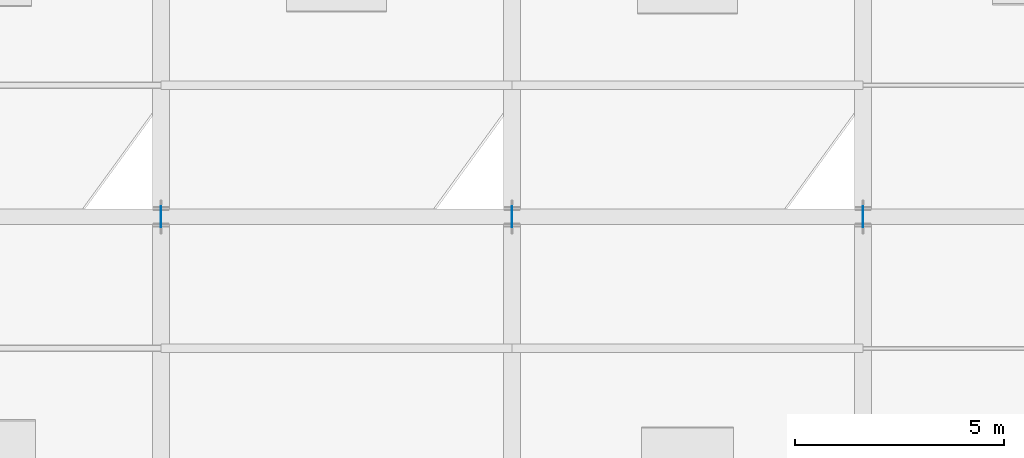
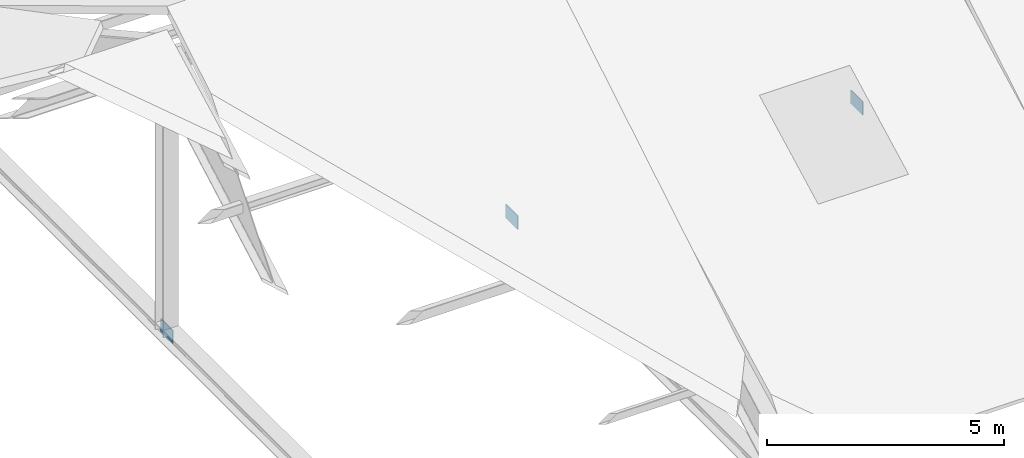
# One storey, part 10 of 13: 3 plates.
"""IFC4 building model written with IfcOpenShell, lengths in metres."""

from ifc_helpers import new_model, si_unit, direction, frame, origin, origin_2d, place, context, subcontext, project, spatial, rectangle, extrude, material, layer, layer_set, type_object, element, save


model = new_model("IFC4")

# Units and contexts
model_context = context("Model", 3, precision=1e-05, world=origin(), true_north=direction((0.0, 1.0)))
body_context = subcontext(model_context, "Body", "Model", "MODEL_VIEW")
ifc_project = project(units=[si_unit("LENGTHUNIT", "METRE"), si_unit("AREAUNIT", "SQUARE_METRE"), si_unit("VOLUMEUNIT", "CUBIC_METRE"), si_unit("PLANEANGLEUNIT", "RADIAN"), si_unit("MASSUNIT", "GRAM", prefix="KILO")], contexts=[model_context])

# Site, building, storey
site_placement = place(None, origin())
site = spatial("IfcSite", under=ifc_project, at=site_placement, CompositionType="ELEMENT")
building_placement = place(site_placement, origin())
building = spatial("IfcBuilding", under=site, at=building_placement, Name="Calvrana Isthmian Art Gallery", CompositionType="ELEMENT")
storey_placement = place(building_placement, frame((0.0, 0.0, 29.39990234375)))
storey = spatial("IfcBuildingStorey", under=building, at=storey_placement, Name="RF", CompositionType="ELEMENT", Elevation=29.39990234375)

# Plates
ifc_material = material(Name="Steel ASTM A572 Gr 50", Category="steel")
ifc_layer = layer(ifc_material, 0.02001953125, Name="Steel ASTM A572 Gr 50")
ifc_layer_set = layer_set([ifc_layer], Name="Steel ASTM A572 Gr 50")
plate_type = type_object("IfcPlateType", Name="PL-SPLICE-20", PredefinedType="SHEET", material=ifc_layer_set)
for number, where, z_axis, x_axis, name in (
    (1, (55.199951171875, 34.199951171875, -0.935546875), (0.0, 0.0, 1.0), (1.0, 0.0, 0.0), "Folded plate tie splice plate 08"),
    (2, (63.60009765625, 34.199951171875, -0.935546875), (0.0, 0.0, 1.0), (1.0, 0.0, 0.0), "Folded plate tie splice plate 09"),
    (3, (72.0, 34.199951171875, -0.935546875), (0.0, 0.0, 1.0), (1.0, 0.0, 0.0), "Folded plate tie splice plate 10"),
):
    element("IfcPlate", number, at=place(storey_placement, frame(where, z_axis=z_axis, x_axis=x_axis)), inside=storey, type_object=plate_type, Name=name, PredefinedType="SHEET", context=body_context, shape_type="SweptSolid", body=[
        extrude(rectangle(XDim=0.02001953125, YDim=0.5, at=origin_2d()), origin(), (0.0, 0.0, 1.0), 0.35009765625),
    ])

save(model, "model.ifc")
